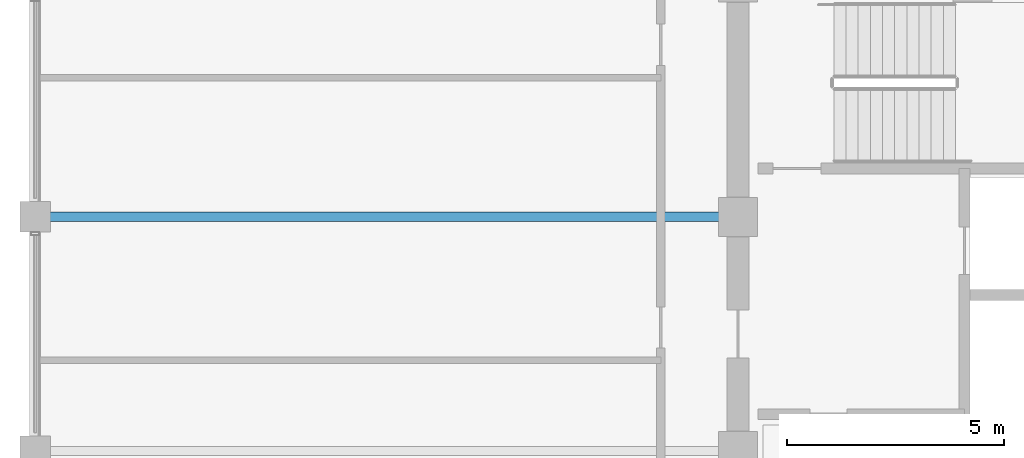
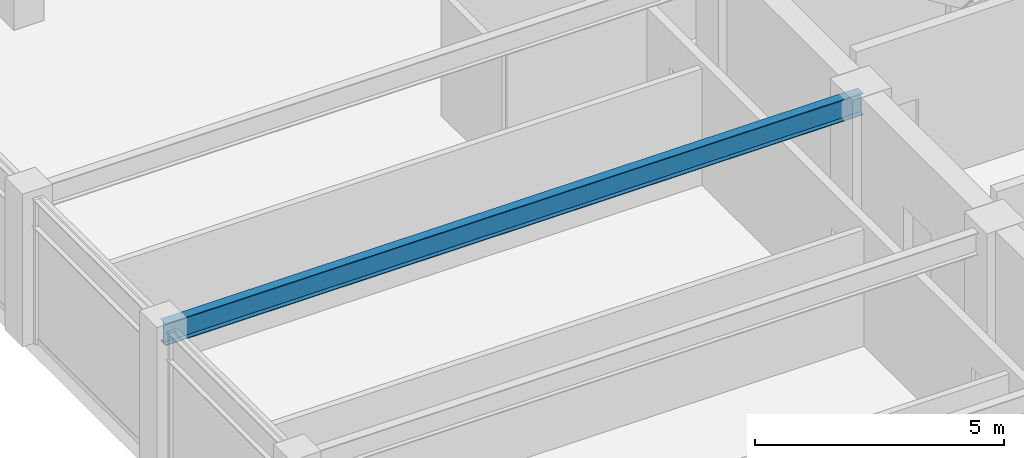
# One storey, part 11 of 34: 1 beam.
"""IFC4 building model written with IfcOpenShell, lengths in metres."""

from ifc_helpers import new_model, si_unit, direction, frame, origin, origin_2d, place, context, subcontext, project, spatial, i_section, extrude, material, material_profile, profile_set, type_object, element, save


model = new_model("IFC4")

# Units and contexts
model_context = context("Model", 3, precision=1e-05, world=origin(), true_north=direction((0.0, 1.0)))
body_context = subcontext(model_context, "Body", "Model", "MODEL_VIEW")
ifc_project = project(units=[si_unit("LENGTHUNIT", "METRE"), si_unit("AREAUNIT", "SQUARE_METRE"), si_unit("VOLUMEUNIT", "CUBIC_METRE"), si_unit("PLANEANGLEUNIT", "RADIAN"), si_unit("MASSUNIT", "GRAM", prefix="KILO")], contexts=[model_context])

# Site, building, storey
site_placement = place(None, origin())
site = spatial("IfcSite", under=ifc_project, at=site_placement, CompositionType="ELEMENT")
building_placement = place(site_placement, origin())
building = spatial("IfcBuilding", under=site, at=building_placement, Name="Surkhivell Harbour Commons", CompositionType="ELEMENT")
storey_placement = place(building_placement, frame((0.0, 0.0, 258.75)))
storey = spatial("IfcBuildingStorey", under=building, at=storey_placement, Name="L67", CompositionType="ELEMENT", Elevation=258.75)

# Beam
ifc_material = material(Name="Steel S355", Category="steel")
ifc_material_profile = material_profile(ifc_material, i_section(OverallWidth=0.2099609375, OverallDepth=0.537109375, WebThickness=0.0107421875, FlangeThickness=0.017333984375, at=origin_2d()), Name="UB533x210x101")
ifc_profile_set = profile_set([ifc_material_profile], Name="Steel S355")
beam_type = type_object("IfcBeamType", Name="BM-GRD-533B", PredefinedType="BEAM", material=ifc_profile_set)
beam_placement = place(storey_placement, frame((-27.0, 5.39990234375, 3.301513671875), z_axis=(1.0, 0.0, 0.0), x_axis=(0.0, 1.0, 0.0)))
element("IfcBeam", 1, at=beam_placement, inside=storey, type_object=beam_type, Name="L67 Floor Girder (-27.0,5.4)", PredefinedType="BEAM", context=body_context, shape_type="SweptSolid", body=[
    extrude(i_section(OverallWidth=0.2099609375, OverallDepth=0.537109375, WebThickness=0.0107421875, FlangeThickness=0.017333984375, at=origin_2d()), origin(), (0.0, 0.0, 1.0), 16.199951171875),
])

save(model, "model.ifc")
